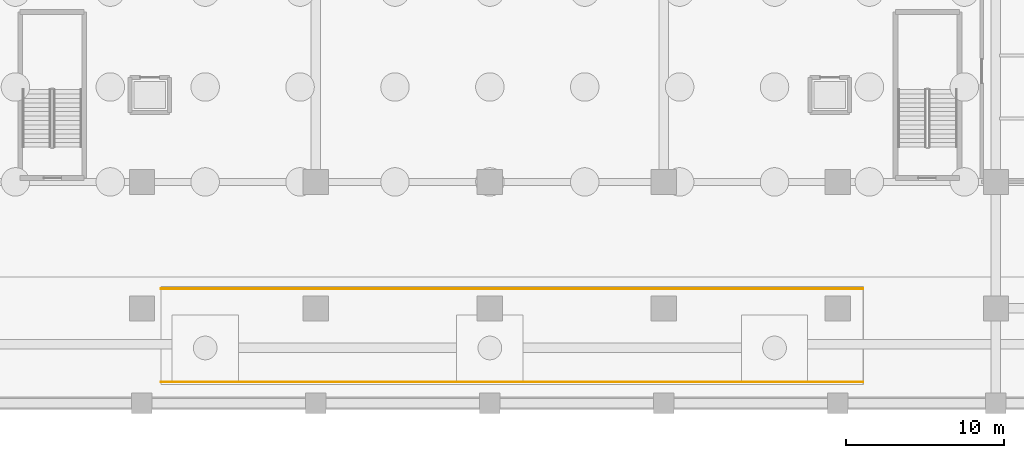
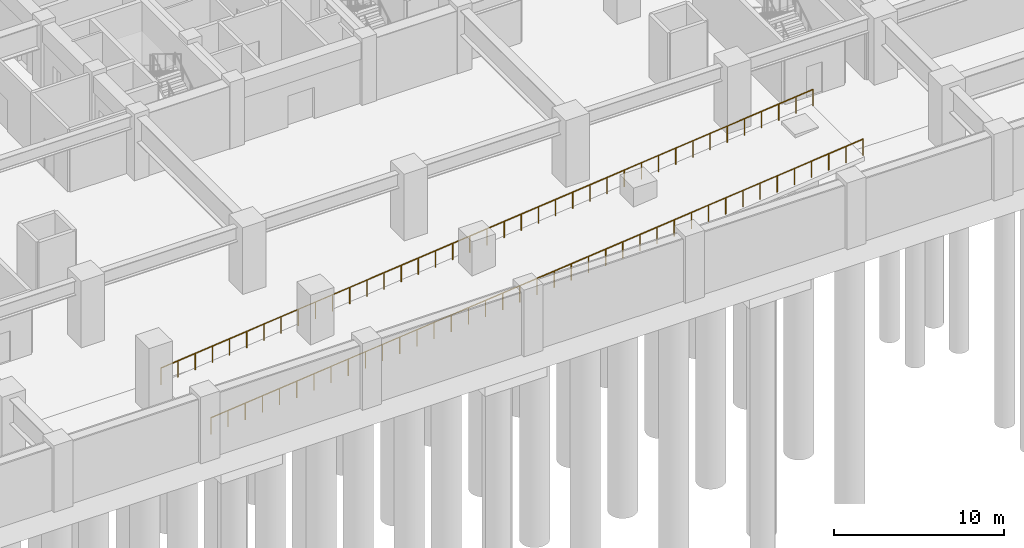
# One storey, part 10 of 13: 2 railings.
"""IFC4 building model written with IfcOpenShell, lengths in metres."""

from ifc_helpers import new_model, si_unit, direction, frame, origin, origin_2d, place, context, subcontext, project, spatial, circle, extrude, source, transform, mapped, material, type_object, element, save


model = new_model("IFC4")

# Units and contexts
model_context = context("Model", 3, precision=1e-05, world=origin(), true_north=direction((0.0, 1.0)))
body_context = subcontext(model_context, "Body", "Model", "MODEL_VIEW")
ifc_project = project(units=[si_unit("LENGTHUNIT", "METRE"), si_unit("AREAUNIT", "SQUARE_METRE"), si_unit("VOLUMEUNIT", "CUBIC_METRE"), si_unit("PLANEANGLEUNIT", "RADIAN"), si_unit("MASSUNIT", "GRAM", prefix="KILO")], contexts=[model_context])

# Site, building, storey
site_placement = place(None, origin())
site = spatial("IfcSite", under=ifc_project, at=site_placement, CompositionType="ELEMENT")
building_placement = place(site_placement, origin())
building = spatial("IfcBuilding", under=site, at=building_placement, Name="Khorayat Bourse Tower", CompositionType="ELEMENT")
storey_placement = place(building_placement, frame((0.0, 0.0, -9.60009765625)))
storey = spatial("IfcBuildingStorey", under=building, at=storey_placement, Name="B02", CompositionType="ELEMENT", Elevation=-9.60009765625)

# Railings
ifc_material = material(Name="Powder-coated steel balustrade", Category="steel")
railing_type = type_object("IfcRailingType", Name="RLG-GUARD-1200", PredefinedType="GUARDRAIL", material=ifc_material)
shared_shape = source(origin(), body_context, "Body", "SweptSolid", [
    extrude(circle(Radius=0.02392578125, at=origin_2d()), frame((0.0, 0.0, 1.17578125), z_axis=(0.994880692266, 0.0, 0.101056460238), x_axis=(0.0, 1.0, 0.0)), (0.0, 0.0, 1.0), 44.628662109375),
    extrude(circle(Radius=0.02099609375, at=origin_2d()), origin(), (0.0, 0.0, 1.0), 1.15185546875),
    extrude(circle(Radius=0.02099609375, at=origin_2d()), frame((1.16845703125, 0.0, 0.11865234375)), (0.0, 0.0, 1.0), 1.15185546875),
    extrude(circle(Radius=0.02099609375, at=origin_2d()), frame((2.3369140625, 0.0, 0.2373046875)), (0.0, 0.0, 1.0), 1.15185546875),
    extrude(circle(Radius=0.02099609375, at=origin_2d()), frame((3.50537109375, 0.0, 0.35595703125)), (0.0, 0.0, 1.0), 1.15185546875),
    extrude(circle(Radius=0.02099609375, at=origin_2d()), frame((4.673583984375, 0.0, 0.474853515625)), (0.0, 0.0, 1.0), 1.15185546875),
    extrude(circle(Radius=0.02099609375, at=origin_2d()), frame((5.842041015625, 0.0, 0.593505859375)), (0.0, 0.0, 1.0), 1.15185546875),
    extrude(circle(Radius=0.02099609375, at=origin_2d()), frame((7.010498046875, 0.0, 0.712158203125)), (0.0, 0.0, 1.0), 1.15185546875),
    extrude(circle(Radius=0.02099609375, at=origin_2d()), frame((8.178955078125, 0.0, 0.830810546875)), (0.0, 0.0, 1.0), 1.15185546875),
    extrude(circle(Radius=0.02099609375, at=origin_2d()), frame((9.347412109375, 0.0, 0.949462890625)), (0.0, 0.0, 1.0), 1.15185546875),
    extrude(circle(Radius=0.02099609375, at=origin_2d()), frame((10.515869140625, 0.0, 1.068115234375)), (0.0, 0.0, 1.0), 1.15185546875),
    extrude(circle(Radius=0.02099609375, at=origin_2d()), frame((11.684326171875, 0.0, 1.186767578125)), (0.0, 0.0, 1.0), 1.15185546875),
    extrude(circle(Radius=0.02099609375, at=origin_2d()), frame((12.852783203125, 0.0, 1.305419921875)), (0.0, 0.0, 1.0), 1.15185546875),
    extrude(circle(Radius=0.02099609375, at=origin_2d()), frame((14.02099609375, 0.0, 1.42431640625)), (0.0, 0.0, 1.0), 1.15185546875),
    extrude(circle(Radius=0.02099609375, at=origin_2d()), frame((15.189453125, 0.0, 1.54296875)), (0.0, 0.0, 1.0), 1.15185546875),
    extrude(circle(Radius=0.02099609375, at=origin_2d()), frame((16.35791015625, 0.0, 1.66162109375)), (0.0, 0.0, 1.0), 1.15185546875),
    extrude(circle(Radius=0.02099609375, at=origin_2d()), frame((17.5263671875, 0.0, 1.7802734375)), (0.0, 0.0, 1.0), 1.15185546875),
    extrude(circle(Radius=0.02099609375, at=origin_2d()), frame((18.69482421875, 0.0, 1.89892578125)), (0.0, 0.0, 1.0), 1.15185546875),
    extrude(circle(Radius=0.02099609375, at=origin_2d()), frame((19.86328125, 0.0, 2.017578125)), (0.0, 0.0, 1.0), 1.15185546875),
    extrude(circle(Radius=0.02099609375, at=origin_2d()), frame((21.03173828125, 0.0, 2.13623046875)), (0.0, 0.0, 1.0), 1.15185546875),
    extrude(circle(Radius=0.02099609375, at=origin_2d()), frame((22.2001953125, 0.0, 2.2548828125)), (0.0, 0.0, 1.0), 1.15185546875),
    extrude(circle(Radius=0.02099609375, at=origin_2d()), frame((23.368408203125, 0.0, 2.373779296875)), (0.0, 0.0, 1.0), 1.15185546875),
    extrude(circle(Radius=0.02099609375, at=origin_2d()), frame((24.536865234375, 0.0, 2.492431640625)), (0.0, 0.0, 1.0), 1.15185546875),
    extrude(circle(Radius=0.02099609375, at=origin_2d()), frame((25.705322265625, 0.0, 2.611083984375)), (0.0, 0.0, 1.0), 1.15185546875),
    extrude(circle(Radius=0.02099609375, at=origin_2d()), frame((26.873779296875, 0.0, 2.729736328125)), (0.0, 0.0, 1.0), 1.15185546875),
    extrude(circle(Radius=0.02099609375, at=origin_2d()), frame((28.042236328125, 0.0, 2.848388671875)), (0.0, 0.0, 1.0), 1.15185546875),
    extrude(circle(Radius=0.02099609375, at=origin_2d()), frame((29.210693359375, 0.0, 2.967041015625)), (0.0, 0.0, 1.0), 1.15185546875),
    extrude(circle(Radius=0.02099609375, at=origin_2d()), frame((30.379150390625, 0.0, 3.085693359375)), (0.0, 0.0, 1.0), 1.15185546875),
    extrude(circle(Radius=0.02099609375, at=origin_2d()), frame((31.54736328125, 0.0, 3.20458984375)), (0.0, 0.0, 1.0), 1.15185546875),
    extrude(circle(Radius=0.02099609375, at=origin_2d()), frame((32.7158203125, 0.0, 3.3232421875)), (0.0, 0.0, 1.0), 1.15185546875),
    extrude(circle(Radius=0.02099609375, at=origin_2d()), frame((33.88427734375, 0.0, 3.44189453125)), (0.0, 0.0, 1.0), 1.15185546875),
    extrude(circle(Radius=0.02099609375, at=origin_2d()), frame((35.052734375, 0.0, 3.560546875)), (0.0, 0.0, 1.0), 1.15185546875),
    extrude(circle(Radius=0.02099609375, at=origin_2d()), frame((36.22119140625, 0.0, 3.67919921875)), (0.0, 0.0, 1.0), 1.15185546875),
    extrude(circle(Radius=0.02099609375, at=origin_2d()), frame((37.3896484375, 0.0, 3.7978515625)), (0.0, 0.0, 1.0), 1.15185546875),
    extrude(circle(Radius=0.02099609375, at=origin_2d()), frame((38.55810546875, 0.0, 3.91650390625)), (0.0, 0.0, 1.0), 1.15185546875),
    extrude(circle(Radius=0.02099609375, at=origin_2d()), frame((39.7265625, 0.0, 4.03515625)), (0.0, 0.0, 1.0), 1.15185546875),
    extrude(circle(Radius=0.02099609375, at=origin_2d()), frame((40.894775390625, 0.0, 4.154052734375)), (0.0, 0.0, 1.0), 1.15185546875),
    extrude(circle(Radius=0.02099609375, at=origin_2d()), frame((42.063232421875, 0.0, 4.272705078125)), (0.0, 0.0, 1.0), 1.15185546875),
    extrude(circle(Radius=0.02099609375, at=origin_2d()), frame((43.231689453125, 0.0, 4.391357421875)), (0.0, 0.0, 1.0), 1.15185546875),
    extrude(circle(Radius=0.02099609375, at=origin_2d()), frame((44.400146484375, 0.0, 4.510009765625)), (0.0, 0.0, 1.0), 1.15185546875),
])
for number, where, name in (
    (1, (-20.800048828125, -36.64990234375, 0.2900390625), "B02-B01 Basement Vehicular Ramp Slab Guardrail 1"),
    (2, (-20.800048828125, -30.75, 0.2900390625), "B02-B01 Basement Vehicular Ramp Slab Guardrail 2"),
):
    element("IfcRailing", number, at=place(storey_placement, frame(where)), inside=storey, type_object=railing_type, Name=name, PredefinedType="GUARDRAIL", context=body_context, shape_type="MappedRepresentation", body=[
        mapped(shared_shape, transform((0.0, 0.0, 0.0), scale=1.0)),
    ])

save(model, "model.ifc")
